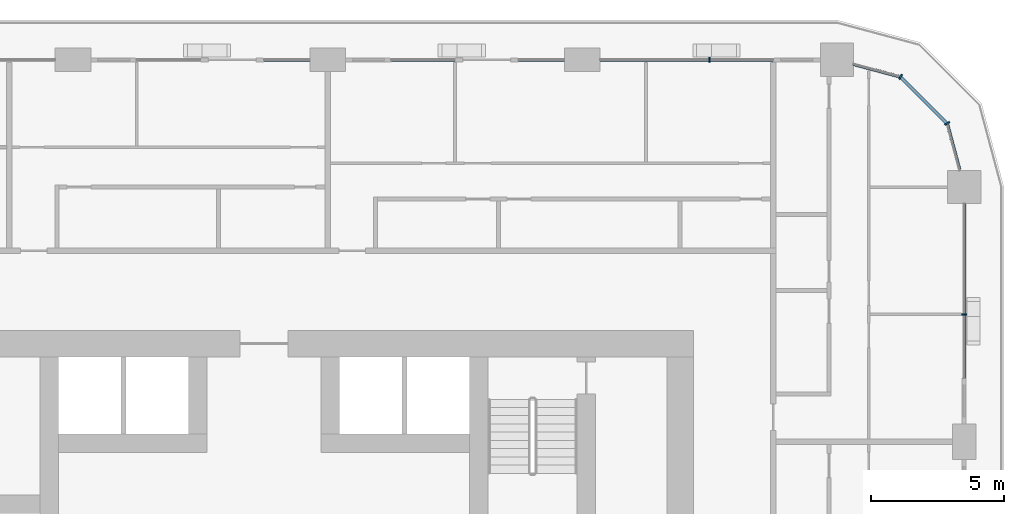
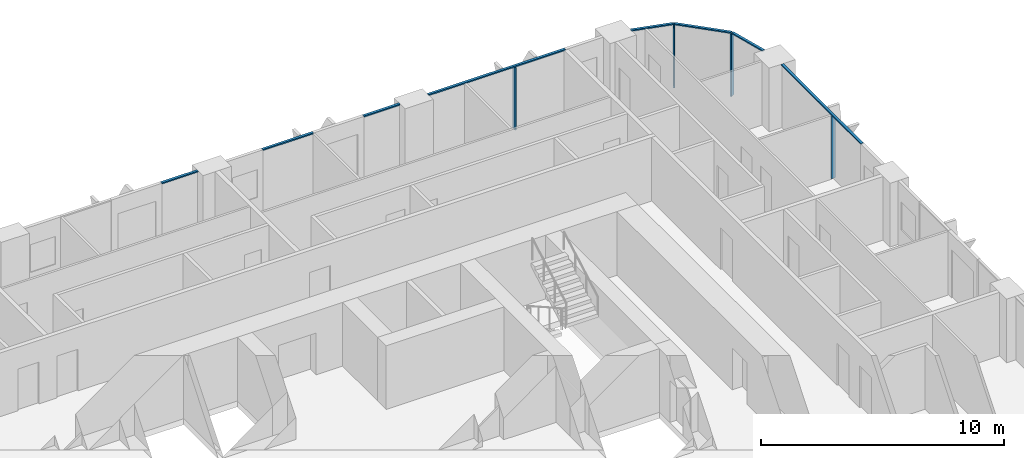
# One storey, part 6 of 21: 12 members, 5 elements without a shape of their own.
"""IFC4 building model written with IfcOpenShell, lengths in metres."""

import ifcopenshell
import ifcopenshell.guid

model = None  # the IFC model being written
_history = None  # IfcOwnerHistory: only IFC2X3 demands one
_inside = {}  # id of a spatial element -> (the spatial element, [elements in it])
_under = {}  # id of a project, library or spatial element -> (it, [spatial elements below it])
_declared = {}  # id of a project -> (the project, [libraries it declares])
_typed = {}  # id of a type object -> (the type object, [elements of that type])
_made_of = {}  # id of a material, layer set ... -> (it, [elements and type objects made of it])


def new_model(schema):
    """Start an empty IFC model of exactly this schema.

    Asked for "IFC4X3", IfcOpenShell would pick the latest addendum, in which some entities
    have other attributes; the version numbers below select the first issue.
    IFC2X3 requires an IfcOwnerHistory on every rooted entity: one is made here for all.
    """
    global model, _history
    if schema == "IFC4X3":
        model = ifcopenshell.file(schema_version=(4, 3, 0, 0))
    else:
        model = ifcopenshell.file(schema=schema)
    _inside.clear()
    _under.clear()
    _declared.clear()
    _typed.clear()
    _made_of.clear()
    _history = None
    if model.schema == "IFC2X3":
        org = make("IfcOrganization", Name="unknown")
        user = make(
            "IfcPersonAndOrganization",
            ThePerson=make("IfcPerson", FamilyName="unknown"),
            TheOrganization=org,
        )
        app = make(
            "IfcApplication",
            ApplicationDeveloper=org,
            Version="unknown",
            ApplicationFullName="unknown",
            ApplicationIdentifier="unknown",
        )
        _history = make(
            "IfcOwnerHistory",
            OwningUser=user,
            OwningApplication=app,
            ChangeAction="ADDED",
            CreationDate=0,
        )
    return model


def make(cls, **values):
    """One entity of the class cls with the attributes given. An attribute that is None is left unset."""
    return model.create_entity(
        cls, **{name: value for name, value in values.items() if value is not None}
    )


def rooted(cls, **values):
    """An entity with a GlobalId (a new one), such as an element, a storey or a relation."""
    return make(cls, GlobalId=ifcopenshell.guid.new(), OwnerHistory=_history, **values)


def si_unit(unit_type, name, prefix=None):
    """IfcSIUnit, for example si_unit("LENGTHUNIT", "METRE", prefix="MILLI")."""
    return make("IfcSIUnit", UnitType=unit_type, Prefix=prefix, Name=name)


def assignment(units):
    """IfcUnitAssignment: the units of a project."""
    return None if units is None else make("IfcUnitAssignment", Units=units)


def point(xyz):
    """IfcCartesianPoint."""
    return None if xyz is None else make("IfcCartesianPoint", Coordinates=xyz)


def direction(xyz):
    """IfcDirection."""
    return None if xyz is None else make("IfcDirection", DirectionRatios=xyz)


def frame(location, z_axis=None, x_axis=None):
    """IfcAxis2Placement3D, a coordinate frame: its origin and axes. An axis left out is left unset."""
    return make(
        "IfcAxis2Placement3D",
        Location=point(location),
        Axis=direction(z_axis),
        RefDirection=direction(x_axis),
    )


def frame_2d(location, x_axis=None):
    """IfcAxis2Placement2D, a coordinate frame in the plane: its origin and x axis."""
    return make(
        "IfcAxis2Placement2D", Location=point(location), RefDirection=direction(x_axis)
    )


def origin():
    """The frame at (0, 0, 0) with its axes left unset."""
    return frame((0.0, 0.0, 0.0))


def origin_2d():
    """The frame at (0, 0) in the plane with its x axis left unset."""
    return frame_2d((0.0, 0.0))


def place(relative_to, where):
    """IfcLocalPlacement: puts the frame where relative to a parent placement (None: the world)."""
    return make(
        "IfcLocalPlacement", PlacementRelTo=relative_to, RelativePlacement=where
    )


def context(
    kind, dimensions, precision=None, world=None, true_north=None, identifier=None
):
    """IfcGeometricRepresentationContext, for example the 3D "Model" context."""
    return make(
        "IfcGeometricRepresentationContext",
        ContextIdentifier=identifier,
        ContextType=kind,
        CoordinateSpaceDimension=dimensions,
        Precision=precision,
        WorldCoordinateSystem=world,
        TrueNorth=true_north,
    )


def subcontext(parent, identifier, kind, view, scale=None):
    """IfcGeometricRepresentationSubContext, for example "Body" below "Model"."""
    return make(
        "IfcGeometricRepresentationSubContext",
        ContextIdentifier=identifier,
        ContextType=kind,
        ParentContext=parent,
        TargetScale=scale,
        TargetView=view,
    )


def project(units=None, contexts=None):
    """IfcProject with its units and contexts."""
    return rooted(
        "IfcProject",
        Name="project",
        RepresentationContexts=contexts,
        UnitsInContext=assignment(units),
    )


def spatial(cls, under=None, at=None, **own):
    """A site, building, storey or space (cls), placed at a placement, below another one or the project."""
    s = rooted(cls, ObjectPlacement=at, **own)
    if under is not None:
        _under.setdefault(under.id(), (under, []))[1].append(s)
    return s


def profile(cls, at=None, kind="AREA", **sizes):
    """A parametric profile (cls). Its sizes go by their IFC names, for example OverallWidth=200.0."""
    return make(cls, ProfileType=kind, Position=at, **sizes)


def rectangle(**sizes):
    """IfcRectangleProfileDef."""
    return profile("IfcRectangleProfileDef", **sizes)


def extrude(swept, where, along, depth):
    """IfcExtrudedAreaSolid: the profile swept, set in the frame where, extruded along a direction by depth."""
    return make(
        "IfcExtrudedAreaSolid",
        SweptArea=swept,
        Position=where,
        ExtrudedDirection=direction(along),
        Depth=depth,
    )


def shape(context_of_items, identifier, shape_type, items):
    """IfcShapeRepresentation: the items that make up one representation, for example the "Body"."""
    return make(
        "IfcShapeRepresentation",
        ContextOfItems=context_of_items,
        RepresentationIdentifier=identifier,
        RepresentationType=shape_type,
        Items=items,
    )


def material(Name=None, Category=None):
    """IfcMaterial."""
    return make("IfcMaterial", Name=Name, Category=Category)


def layer(
    of_material, thickness, ventilated=None, Name=None, Category=None, Priority=None
):
    """IfcMaterialLayer: one layer of a wall or slab, of a material (None: an air gap)."""
    return make(
        "IfcMaterialLayer",
        Material=of_material,
        LayerThickness=thickness,
        IsVentilated=ventilated,
        Name=Name,
        Category=Category,
        Priority=Priority,
    )


def layer_set(layers, Name=None):
    """IfcMaterialLayerSet."""
    return make("IfcMaterialLayerSet", MaterialLayers=layers, LayerSetName=Name)


def material_profile(
    of_material, cross_section, Name=None, Category=None, Priority=None
):
    """IfcMaterialProfile: a cross section and its material."""
    return make(
        "IfcMaterialProfile",
        Name=Name,
        Material=of_material,
        Profile=cross_section,
        Priority=Priority,
        Category=Category,
    )


def profile_set(profiles, Name=None, composite=None):
    """IfcMaterialProfileSet."""
    return make(
        "IfcMaterialProfileSet",
        Name=Name,
        MaterialProfiles=profiles,
        CompositeProfile=composite,
    )


def made_of(thing, what):
    """Note that an element or type object is made of a material, layer set ...; save() writes the relation."""
    if what is not None:
        _made_of.setdefault(what.id(), (what, []))[1].append(thing)
    return thing


def type_object(cls, material=None, **own):
    """A type object (cls), such as IfcWallType, which elements share."""
    return made_of(rooted(cls, **own), material)


def element(
    cls,
    number,
    at=None,
    inside=None,
    cuts=None,
    type_object=None,
    material=None,
    context=None,
    identifier="Body",
    shape_type=None,
    held_by="IfcProductDefinitionShape",
    body=None,
    shapes=None,
    **own,
):
    """One element of the class cls, such as IfcWall. Its Tag is "e" and its number.

    at: its placement. inside: the storey or other place that contains it. cuts: it is an
    opening in that element (IfcRelVoidsElement). A single representation is given by context,
    identifier, shape_type and body (its items); several are given by shapes. held_by: the class
    of the entity that holds the representations. save() writes the other relations.
    """
    e = rooted(cls, Tag="e%d" % number, ObjectPlacement=at, **own)
    if body is not None:
        shapes = [shape(context, identifier, shape_type, body)]
    if shapes is not None:
        e.Representation = make(held_by, Representations=shapes)
    if inside is not None:
        _inside.setdefault(inside.id(), (inside, []))[1].append(e)
    if cuts is not None:
        rooted(
            "IfcRelVoidsElement", RelatingBuildingElement=cuts, RelatedOpeningElement=e
        )
    if type_object is not None:
        _typed.setdefault(type_object.id(), (type_object, []))[1].append(e)
    return made_of(e, material)


def aggregate(whole, parts):
    """IfcRelAggregates: a whole, such as a stair, and the parts it consists of."""
    return rooted("IfcRelAggregates", RelatingObject=whole, RelatedObjects=parts)


def save(model, path):
    """Write the relations noted so far, then the file.

    IfcRelAggregates (storeys below a building ...), IfcRelContainedInSpatialStructure (elements
    in a storey), IfcRelDefinesByType, IfcRelAssociatesMaterial and IfcRelDeclares: one each for
    every whole, place, type object, material and project.
    """
    for whole, parts in _under.values():
        aggregate(whole, parts)
    for where, things in _inside.values():
        rooted(
            "IfcRelContainedInSpatialStructure",
            RelatedElements=things,
            RelatingStructure=where,
        )
    for kind, things in _typed.values():
        rooted("IfcRelDefinesByType", RelatedObjects=things, RelatingType=kind)
    for what, things in _made_of.values():
        rooted("IfcRelAssociatesMaterial", RelatedObjects=things, RelatingMaterial=what)
    for by, libraries in _declared.values():
        rooted("IfcRelDeclares", RelatingContext=by, RelatedDefinitions=libraries)
    model.write(path)


model = new_model("IFC4")

# Units and contexts
model_context = context("Model", 3, precision=1e-05, world=origin(), true_north=direction((0.0, 1.0)))
body_context = subcontext(model_context, "Body", "Model", "MODEL_VIEW")
ifc_project = project(units=[si_unit("LENGTHUNIT", "METRE"), si_unit("AREAUNIT", "SQUARE_METRE"), si_unit("VOLUMEUNIT", "CUBIC_METRE"), si_unit("PLANEANGLEUNIT", "RADIAN"), si_unit("MASSUNIT", "GRAM", prefix="KILO")], contexts=[model_context])

# Site, building, storey
site_placement = place(None, origin())
site = spatial("IfcSite", under=ifc_project, at=site_placement, CompositionType="ELEMENT")
building_placement = place(site_placement, origin())
building = spatial("IfcBuilding", under=site, at=building_placement, Name="Madar Terraces", CompositionType="ELEMENT")
storey_placement = place(building_placement, frame((0.0, 0.0, 43.39990234375)))
storey = spatial("IfcBuildingStorey", under=building, at=storey_placement, Name="L10", CompositionType="ELEMENT", Elevation=43.39990234375)

# Curtain wall, member
ifc_material_1 = material(Name="Glass, ceramic frit dark grey, with black aluminium frame", Category="aluminium")
ifc_layer = layer(ifc_material_1, 0.199951171875)
ifc_layer_set = layer_set([ifc_layer], Name="Facade curtain wall, fritted glass")
curtain_wall_type = type_object("IfcCurtainWallType", Name="Facade curtain wall, fritted glass", PredefinedType="NOTDEFINED", material=ifc_layer_set)
curtain_wall_1_placement = place(storey_placement, origin())
curtain_wall_1 = element("IfcCurtainWall", 1, at=curtain_wall_1_placement, inside=storey, type_object=curtain_wall_type, Name="Outer skin curtain wall east bay 4", PredefinedType="NOTDEFINED")
ifc_material_2 = material(Name="Aluminium, black anodised", Category="aluminium")
ifc_material_profile_1 = material_profile(ifc_material_2, rectangle(XDim=0.199951171875, YDim=0.06005859375, at=origin_2d()), Name="Facade mullion 60x200")
ifc_profile_set_1 = profile_set([ifc_material_profile_1], Name="Aluminium, black anodised")
member_type_1 = type_object("IfcMemberType", Name="Facade mullion 60x200", PredefinedType="MULLION", material=ifc_profile_set_1)
member_1_placement = place(storey_placement, frame((57.60009765625, 38.39990234375, 0.0), z_axis=(0.0, 0.0, 1.0), x_axis=(-1.0, 0.0, 0.0)))
member_1 = element("IfcMember", 2, at=member_1_placement, type_object=member_type_1, Name="Mullion 1", PredefinedType="MULLION", context=body_context, shape_type="SweptSolid", body=[
    extrude(rectangle(XDim=0.199951171875, YDim=0.06005859375, at=origin_2d()), origin(), (0.0, 0.0, 1.0), 3.14013671875),
])

curtain_wall_2_placement = place(storey_placement, origin())
curtain_wall_2 = element("IfcCurtainWall", 3, at=curtain_wall_2_placement, inside=storey, type_object=curtain_wall_type, Name="Outer skin curtain wall north bay 1", PredefinedType="NOTDEFINED")
member_2_placement = place(storey_placement, frame((48.0, 48.0, 0.0), z_axis=(0.0, 0.0, 1.0), x_axis=(0.0, -1.0, 0.0)))
member_2 = element("IfcMember", 4, at=member_2_placement, type_object=member_type_1, Name="Mullion 1", PredefinedType="MULLION", context=body_context, shape_type="SweptSolid", body=[
    extrude(rectangle(XDim=0.199951171875, YDim=0.06005859375, at=origin_2d()), origin(), (0.0, 0.0, 1.0), 3.14013671875),
])

# Curtain wall, members
curtain_wall_3_placement = place(storey_placement, origin())
curtain_wall_3 = element("IfcCurtainWall", 5, at=curtain_wall_3_placement, inside=storey, type_object=curtain_wall_type, Name="Outer skin curtain wall north-east corner", PredefinedType="NOTDEFINED")
member_3_placement = place(storey_placement, frame((56.95703125, 45.60009765625, 0.0), z_axis=(0.0, 0.0, 1.0), x_axis=(-0.866025409797, -0.499999989586, 0.0)))
member_3 = element("IfcMember", 6, at=member_3_placement, type_object=member_type_1, Name="Mullion 1", PredefinedType="MULLION", context=body_context, shape_type="SweptSolid", body=[
    extrude(rectangle(XDim=0.199951171875, YDim=0.06005859375, at=origin_2d()), origin(), (0.0, 0.0, 1.0), 3.14013671875),
])
member_4_placement = place(storey_placement, frame((55.199951171875, 47.35693359375, 0.0), z_axis=(0.0, 0.0, 1.0), x_axis=(-0.499999989586, -0.866025409797, 0.0)))
member_4 = element("IfcMember", 7, at=member_4_placement, type_object=member_type_1, Name="Mullion 2", PredefinedType="MULLION", context=body_context, shape_type="SweptSolid", body=[
    extrude(rectangle(XDim=0.199951171875, YDim=0.06005859375, at=origin_2d()), origin(), (0.0, 0.0, 1.0), 3.14013671875),
])

# Member
ifc_material_3 = material(Name="Aluminium, black anodised", Category="aluminium")
ifc_material_profile_2 = material_profile(ifc_material_3, rectangle(XDim=0.1201171875, YDim=0.06005859375, at=origin_2d()), Name="Facade transom 60x120")
ifc_profile_set_2 = profile_set([ifc_material_profile_2], Name="Aluminium, black anodised")
member_type_2 = type_object("IfcMemberType", Name="Facade transom 60x120", PredefinedType="USERDEFINED", material=ifc_profile_set_2)
member_5_placement = place(storey_placement, frame((57.60009765625, 36.0, 3.170166015625), z_axis=(0.0, 1.0, 0.0), x_axis=(-1.0, 0.0, 0.0)))
member_5 = element("IfcMember", 8, at=member_5_placement, type_object=member_type_2, Name="Transom 1", ObjectType="TRANSOM", PredefinedType="USERDEFINED", context=body_context, shape_type="SweptSolid", body=[
    extrude(rectangle(XDim=0.1201171875, YDim=0.06005859375, at=origin_2d()), origin(), (0.0, 0.0, 1.0), 6.574951171875),
])

aggregate(curtain_wall_1, [member_1, member_5])

member_6_placement = place(storey_placement, frame((50.39990234375, 48.0, 3.170166015625), z_axis=(-1.0, 0.0, 0.0), x_axis=(0.0, -1.0, 0.0)))
member_6 = element("IfcMember", 9, at=member_6_placement, type_object=member_type_2, Name="Transom 1", ObjectType="TRANSOM", PredefinedType="USERDEFINED", context=body_context, shape_type="SweptSolid", body=[
    extrude(rectangle(XDim=0.1201171875, YDim=0.06005859375, at=origin_2d()), origin(), (0.0, 0.0, 1.0), 6.52490234375),
])

aggregate(curtain_wall_2, [member_2, member_6])

# Curtain wall, members
curtain_wall_4_placement = place(storey_placement, origin())
curtain_wall_4 = element("IfcCurtainWall", 10, at=curtain_wall_4_placement, inside=storey, type_object=curtain_wall_type, Name="Outer skin curtain wall north bay 2", PredefinedType="NOTDEFINED")
member_7_placement = place(storey_placement, frame((42.52490234375, 48.0, 3.170166015625), z_axis=(-1.0, 0.0, 0.0), x_axis=(0.0, -1.0, 0.0)))
member_7 = element("IfcMember", 11, at=member_7_placement, type_object=member_type_2, Name="Transom 1", ObjectType="TRANSOM", PredefinedType="USERDEFINED", context=body_context, shape_type="SweptSolid", body=[
    extrude(rectangle(XDim=0.1201171875, YDim=0.06005859375, at=origin_2d()), origin(), (0.0, 0.0, 1.0), 1.724853515625),
])
member_8_placement = place(storey_placement, frame((38.39990234375, 48.0, 3.170166015625), z_axis=(-1.0, 0.0, 0.0), x_axis=(0.0, -1.0, 0.0)))
member_8 = element("IfcMember", 12, at=member_8_placement, type_object=member_type_2, Name="Transom 2", ObjectType="TRANSOM", PredefinedType="USERDEFINED", context=body_context, shape_type="SweptSolid", body=[
    extrude(rectangle(XDim=0.1201171875, YDim=0.06005859375, at=origin_2d()), origin(), (0.0, 0.0, 1.0), 2.39990234375),
])
aggregate(curtain_wall_4, [member_7, member_8])

# Curtain wall, member
curtain_wall_5_placement = place(storey_placement, origin())
curtain_wall_5 = element("IfcCurtainWall", 13, at=curtain_wall_5_placement, inside=storey, type_object=curtain_wall_type, Name="Outer skin curtain wall north bay 3", PredefinedType="NOTDEFINED")
member_9_placement = place(storey_placement, frame((32.925048828125, 48.0, 3.170166015625), z_axis=(-1.0, 0.0, 0.0), x_axis=(0.0, -1.0, 0.0)))
member_9 = element("IfcMember", 14, at=member_9_placement, type_object=member_type_2, Name="Transom 1", ObjectType="TRANSOM", PredefinedType="USERDEFINED", context=body_context, shape_type="SweptSolid", body=[
    extrude(rectangle(XDim=0.1201171875, YDim=0.06005859375, at=origin_2d()), origin(), (0.0, 0.0, 1.0), 1.72509765625),
])
aggregate(curtain_wall_5, [member_9])

# Member
member_10_placement = place(storey_placement, frame((57.4326171875, 43.824951171875, 3.170166015625), z_axis=(-0.258898097903, 0.965904640688, 0.0), x_axis=(-0.965904640688, -0.258898097903, 0.0)))
member_10 = element("IfcMember", 15, at=member_10_placement, type_object=member_type_2, Name="Transom 1", ObjectType="TRANSOM", PredefinedType="USERDEFINED", context=body_context, shape_type="SweptSolid", body=[
    extrude(rectangle(XDim=0.1201171875, YDim=0.06005859375, at=origin_2d()), origin(), (0.0, 0.0, 1.0), 1.8076171875),
])

member_11_placement = place(storey_placement, frame((56.935791015625, 45.62109375, 3.170166015625), z_axis=(-0.707106781187, 0.707106781187, 0.0), x_axis=(-0.707106781187, -0.707106781187, 0.0)))
member_11 = element("IfcMember", 16, at=member_11_placement, type_object=member_type_2, Name="Transom 2", ObjectType="TRANSOM", PredefinedType="USERDEFINED", context=body_context, shape_type="SweptSolid", body=[
    extrude(rectangle(XDim=0.1201171875, YDim=0.06005859375, at=origin_2d()), origin(), (0.0, 0.0, 1.0), 2.4248046875),
])

member_12_placement = place(storey_placement, frame((55.171142578125, 47.36474609375, 3.170166015625), z_axis=(-0.965938406667, 0.258772089929, 0.0), x_axis=(-0.258772089929, -0.965938406667, 0.0)))
member_12 = element("IfcMember", 17, at=member_12_placement, type_object=member_type_2, Name="Transom 3", ObjectType="TRANSOM", PredefinedType="USERDEFINED", context=body_context, shape_type="SweptSolid", body=[
    extrude(rectangle(XDim=0.1201171875, YDim=0.06005859375, at=origin_2d()), origin(), (0.0, 0.0, 1.0), 1.8076171875),
])

aggregate(curtain_wall_3, [member_3, member_10, member_4, member_11, member_12])

save(model, "model.ifc")
